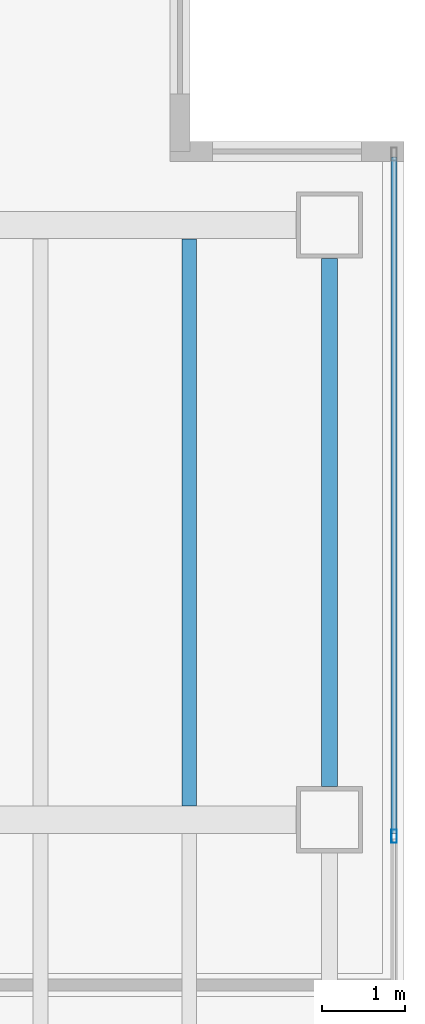
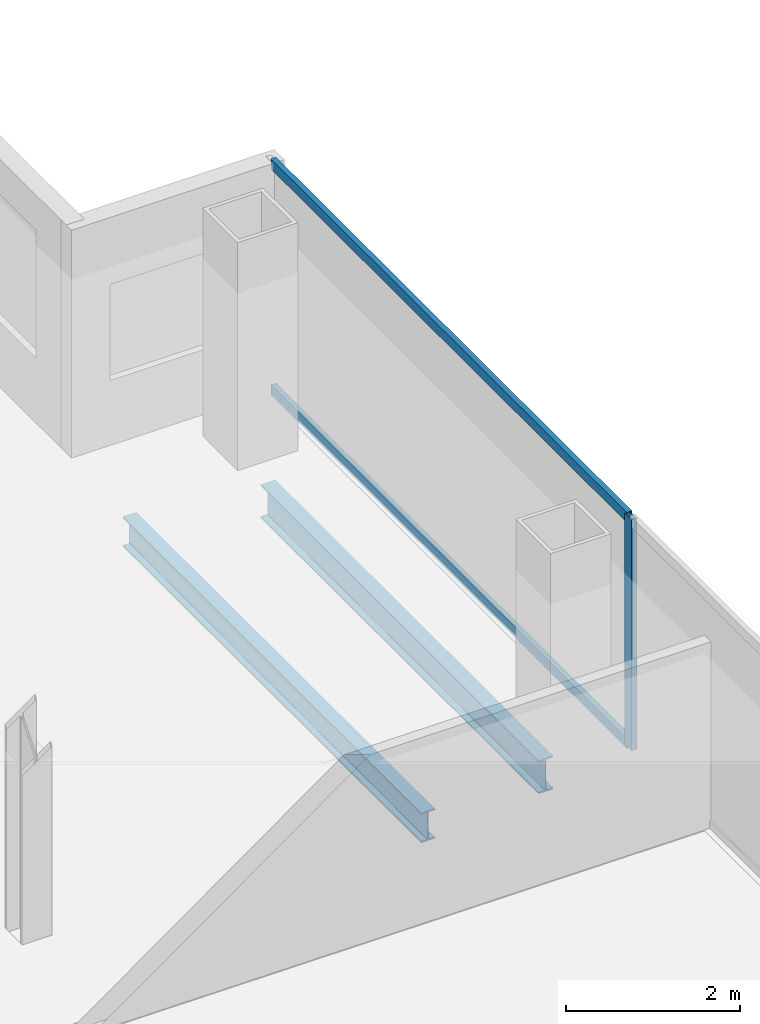
# One storey, part 14 of 23: 3 members, 2 beams, 1 element without a shape of its own.
"""IFC4 building model written with IfcOpenShell, lengths in metres."""

import ifcopenshell
import ifcopenshell.guid

model = None  # the IFC model being written
_history = None  # IfcOwnerHistory: only IFC2X3 demands one
_inside = {}  # id of a spatial element -> (the spatial element, [elements in it])
_under = {}  # id of a project, library or spatial element -> (it, [spatial elements below it])
_declared = {}  # id of a project -> (the project, [libraries it declares])
_typed = {}  # id of a type object -> (the type object, [elements of that type])
_made_of = {}  # id of a material, layer set ... -> (it, [elements and type objects made of it])


def new_model(schema):
    """Start an empty IFC model of exactly this schema.

    Asked for "IFC4X3", IfcOpenShell would pick the latest addendum, in which some entities
    have other attributes; the version numbers below select the first issue.
    IFC2X3 requires an IfcOwnerHistory on every rooted entity: one is made here for all.
    """
    global model, _history
    if schema == "IFC4X3":
        model = ifcopenshell.file(schema_version=(4, 3, 0, 0))
    else:
        model = ifcopenshell.file(schema=schema)
    _inside.clear()
    _under.clear()
    _declared.clear()
    _typed.clear()
    _made_of.clear()
    _history = None
    if model.schema == "IFC2X3":
        org = make("IfcOrganization", Name="unknown")
        user = make(
            "IfcPersonAndOrganization",
            ThePerson=make("IfcPerson", FamilyName="unknown"),
            TheOrganization=org,
        )
        app = make(
            "IfcApplication",
            ApplicationDeveloper=org,
            Version="unknown",
            ApplicationFullName="unknown",
            ApplicationIdentifier="unknown",
        )
        _history = make(
            "IfcOwnerHistory",
            OwningUser=user,
            OwningApplication=app,
            ChangeAction="ADDED",
            CreationDate=0,
        )
    return model


def make(cls, **values):
    """One entity of the class cls with the attributes given. An attribute that is None is left unset."""
    return model.create_entity(
        cls, **{name: value for name, value in values.items() if value is not None}
    )


def rooted(cls, **values):
    """An entity with a GlobalId (a new one), such as an element, a storey or a relation."""
    return make(cls, GlobalId=ifcopenshell.guid.new(), OwnerHistory=_history, **values)


def si_unit(unit_type, name, prefix=None):
    """IfcSIUnit, for example si_unit("LENGTHUNIT", "METRE", prefix="MILLI")."""
    return make("IfcSIUnit", UnitType=unit_type, Prefix=prefix, Name=name)


def assignment(units):
    """IfcUnitAssignment: the units of a project."""
    return None if units is None else make("IfcUnitAssignment", Units=units)


def point(xyz):
    """IfcCartesianPoint."""
    return None if xyz is None else make("IfcCartesianPoint", Coordinates=xyz)


def direction(xyz):
    """IfcDirection."""
    return None if xyz is None else make("IfcDirection", DirectionRatios=xyz)


def frame(location, z_axis=None, x_axis=None):
    """IfcAxis2Placement3D, a coordinate frame: its origin and axes. An axis left out is left unset."""
    return make(
        "IfcAxis2Placement3D",
        Location=point(location),
        Axis=direction(z_axis),
        RefDirection=direction(x_axis),
    )


def frame_2d(location, x_axis=None):
    """IfcAxis2Placement2D, a coordinate frame in the plane: its origin and x axis."""
    return make(
        "IfcAxis2Placement2D", Location=point(location), RefDirection=direction(x_axis)
    )


def origin():
    """The frame at (0, 0, 0) with its axes left unset."""
    return frame((0.0, 0.0, 0.0))


def origin_2d():
    """The frame at (0, 0) in the plane with its x axis left unset."""
    return frame_2d((0.0, 0.0))


def place(relative_to, where):
    """IfcLocalPlacement: puts the frame where relative to a parent placement (None: the world)."""
    return make(
        "IfcLocalPlacement", PlacementRelTo=relative_to, RelativePlacement=where
    )


def context(
    kind, dimensions, precision=None, world=None, true_north=None, identifier=None
):
    """IfcGeometricRepresentationContext, for example the 3D "Model" context."""
    return make(
        "IfcGeometricRepresentationContext",
        ContextIdentifier=identifier,
        ContextType=kind,
        CoordinateSpaceDimension=dimensions,
        Precision=precision,
        WorldCoordinateSystem=world,
        TrueNorth=true_north,
    )


def subcontext(parent, identifier, kind, view, scale=None):
    """IfcGeometricRepresentationSubContext, for example "Body" below "Model"."""
    return make(
        "IfcGeometricRepresentationSubContext",
        ContextIdentifier=identifier,
        ContextType=kind,
        ParentContext=parent,
        TargetScale=scale,
        TargetView=view,
    )


def project(units=None, contexts=None):
    """IfcProject with its units and contexts."""
    return rooted(
        "IfcProject",
        Name="project",
        RepresentationContexts=contexts,
        UnitsInContext=assignment(units),
    )


def spatial(cls, under=None, at=None, **own):
    """A site, building, storey or space (cls), placed at a placement, below another one or the project."""
    s = rooted(cls, ObjectPlacement=at, **own)
    if under is not None:
        _under.setdefault(under.id(), (under, []))[1].append(s)
    return s


def profile(cls, at=None, kind="AREA", **sizes):
    """A parametric profile (cls). Its sizes go by their IFC names, for example OverallWidth=200.0."""
    return make(cls, ProfileType=kind, Position=at, **sizes)


def hollow_rectangle(**sizes):
    """IfcRectangleHollowProfileDef."""
    return profile("IfcRectangleHollowProfileDef", **sizes)


def i_section(**sizes):
    """IfcIShapeProfileDef."""
    return profile("IfcIShapeProfileDef", **sizes)


def extrude(swept, where, along, depth):
    """IfcExtrudedAreaSolid: the profile swept, set in the frame where, extruded along a direction by depth."""
    return make(
        "IfcExtrudedAreaSolid",
        SweptArea=swept,
        Position=where,
        ExtrudedDirection=direction(along),
        Depth=depth,
    )


def shape(context_of_items, identifier, shape_type, items):
    """IfcShapeRepresentation: the items that make up one representation, for example the "Body"."""
    return make(
        "IfcShapeRepresentation",
        ContextOfItems=context_of_items,
        RepresentationIdentifier=identifier,
        RepresentationType=shape_type,
        Items=items,
    )


def material(Name=None, Category=None):
    """IfcMaterial."""
    return make("IfcMaterial", Name=Name, Category=Category)


def material_profile(
    of_material, cross_section, Name=None, Category=None, Priority=None
):
    """IfcMaterialProfile: a cross section and its material."""
    return make(
        "IfcMaterialProfile",
        Name=Name,
        Material=of_material,
        Profile=cross_section,
        Priority=Priority,
        Category=Category,
    )


def profile_set(profiles, Name=None, composite=None):
    """IfcMaterialProfileSet."""
    return make(
        "IfcMaterialProfileSet",
        Name=Name,
        MaterialProfiles=profiles,
        CompositeProfile=composite,
    )


def made_of(thing, what):
    """Note that an element or type object is made of a material, layer set ...; save() writes the relation."""
    if what is not None:
        _made_of.setdefault(what.id(), (what, []))[1].append(thing)
    return thing


def type_object(cls, material=None, **own):
    """A type object (cls), such as IfcWallType, which elements share."""
    return made_of(rooted(cls, **own), material)


def element(
    cls,
    number,
    at=None,
    inside=None,
    cuts=None,
    type_object=None,
    material=None,
    context=None,
    identifier="Body",
    shape_type=None,
    held_by="IfcProductDefinitionShape",
    body=None,
    shapes=None,
    **own,
):
    """One element of the class cls, such as IfcWall. Its Tag is "e" and its number.

    at: its placement. inside: the storey or other place that contains it. cuts: it is an
    opening in that element (IfcRelVoidsElement). A single representation is given by context,
    identifier, shape_type and body (its items); several are given by shapes. held_by: the class
    of the entity that holds the representations. save() writes the other relations.
    """
    e = rooted(cls, Tag="e%d" % number, ObjectPlacement=at, **own)
    if body is not None:
        shapes = [shape(context, identifier, shape_type, body)]
    if shapes is not None:
        e.Representation = make(held_by, Representations=shapes)
    if inside is not None:
        _inside.setdefault(inside.id(), (inside, []))[1].append(e)
    if cuts is not None:
        rooted(
            "IfcRelVoidsElement", RelatingBuildingElement=cuts, RelatedOpeningElement=e
        )
    if type_object is not None:
        _typed.setdefault(type_object.id(), (type_object, []))[1].append(e)
    return made_of(e, material)


def aggregate(whole, parts):
    """IfcRelAggregates: a whole, such as a stair, and the parts it consists of."""
    return rooted("IfcRelAggregates", RelatingObject=whole, RelatedObjects=parts)


def save(model, path):
    """Write the relations noted so far, then the file.

    IfcRelAggregates (storeys below a building ...), IfcRelContainedInSpatialStructure (elements
    in a storey), IfcRelDefinesByType, IfcRelAssociatesMaterial and IfcRelDeclares: one each for
    every whole, place, type object, material and project.
    """
    for whole, parts in _under.values():
        aggregate(whole, parts)
    for where, things in _inside.values():
        rooted(
            "IfcRelContainedInSpatialStructure",
            RelatedElements=things,
            RelatingStructure=where,
        )
    for kind, things in _typed.values():
        rooted("IfcRelDefinesByType", RelatedObjects=things, RelatingType=kind)
    for what, things in _made_of.values():
        rooted("IfcRelAssociatesMaterial", RelatedObjects=things, RelatingMaterial=what)
    for by, libraries in _declared.values():
        rooted("IfcRelDeclares", RelatingContext=by, RelatedDefinitions=libraries)
    model.write(path)


model = new_model("IFC4")

# Units and contexts
model_context = context("Model", 3, precision=1e-05, world=origin(), true_north=direction((0.0, 1.0)))
body_context = subcontext(model_context, "Body", "Model", "MODEL_VIEW")
ifc_project = project(units=[si_unit("LENGTHUNIT", "METRE"), si_unit("AREAUNIT", "SQUARE_METRE"), si_unit("VOLUMEUNIT", "CUBIC_METRE"), si_unit("PLANEANGLEUNIT", "RADIAN"), si_unit("MASSUNIT", "GRAM", prefix="KILO")], contexts=[model_context])

# Site, building, storey
site_placement = place(None, origin())
site = spatial("IfcSite", under=ifc_project, at=site_placement, CompositionType="ELEMENT")
building_placement = place(site_placement, origin())
building = spatial("IfcBuilding", under=site, at=building_placement, Name="Cobrela Telecom Tower", CompositionType="ELEMENT")
storey_placement = place(building_placement, frame((0.0, 0.0, 197.75)))
storey = spatial("IfcBuildingStorey", under=building, at=storey_placement, Name="L50", CompositionType="ELEMENT", Elevation=197.75)

# Beams
ifc_material_1 = material(Name="Steel ASTM A992 Grade 50", Category="steel")
ifc_material_profile_1 = material_profile(ifc_material_1, i_section(OverallWidth=0.179931640625, OverallDepth=0.4169921875, WebThickness=0.010986328125, FlangeThickness=0.01806640625, FilletRadius=0.011962890625, at=origin_2d()), Name="W16X57")
ifc_profile_set_1 = profile_set([ifc_material_profile_1], Name="Steel ASTM A992 Grade 50")
beam_type_1 = type_object("IfcBeamType", Name="BM-JOIST-04", PredefinedType="JOIST", material=ifc_profile_set_1)
beam_1_placement = place(storey_placement, frame((41.39990234375, 14.569091796875, -0.468505859375), z_axis=(0.0, 1.0, 0.0), x_axis=(-1.0, 0.0, 0.0)))
element("IfcBeam", 1, at=beam_1_placement, inside=storey, type_object=beam_type_1, Name="L50 Secondary Composite Floor Beam J30", PredefinedType="JOIST", context=body_context, shape_type="SweptSolid", body=[
    extrude(i_section(OverallWidth=0.179931640625, OverallDepth=0.4169921875, WebThickness=0.010986328125, FlangeThickness=0.01806640625, FilletRadius=0.011962890625, at=origin_2d()), origin(), (0.0, 0.0, 1.0), 6.86181640625),
])
ifc_material_profile_2 = material_profile(ifc_material_1, i_section(OverallWidth=0.193115234375, OverallDepth=0.467041015625, WebThickness=0.011474609375, FlangeThickness=0.01904296875, FilletRadius=0.012939453125, at=origin_2d()), Name="W18X65")
ifc_profile_set_2 = profile_set([ifc_material_profile_2], Name="Steel ASTM A992 Grade 50")
beam_type_2 = type_object("IfcBeamType", Name="BM-SPAND-05", PredefinedType="SPANDREL", material=ifc_profile_set_2)
beam_2_placement = place(storey_placement, frame((43.10009765625, 14.804931640625, -0.493408203125), z_axis=(0.0, 1.0, 0.0), x_axis=(-1.0, 0.0, 0.0)))
element("IfcBeam", 2, at=beam_2_placement, inside=storey, type_object=beam_type_2, Name="L50 Perimeter Spandrel Y43", PredefinedType="SPANDREL", context=body_context, shape_type="SweptSolid", body=[
    extrude(i_section(OverallWidth=0.193115234375, OverallDepth=0.467041015625, WebThickness=0.011474609375, FlangeThickness=0.01904296875, FilletRadius=0.012939453125, at=origin_2d()), origin(), (0.0, 0.0, 1.0), 6.39013671875),
])

# Curtain wall, members
ifc_material_2 = material(Name="Anodized Bronze Aluminium 6063-T6", Category="aluminium")
curtain_wall_type = type_object("IfcCurtainWallType", Name="CW-SYS-OFF-LO", PredefinedType="USERDEFINED", material=ifc_material_2)
curtain_wall_placement = place(storey_placement, origin())
curtain_wall = element("IfcCurtainWall", 3, at=curtain_wall_placement, inside=storey, type_object=curtain_wall_type, Name="L50 Unitised Bronze Curtain Wall 14", ObjectType="UNITISED CURTAIN WALL", PredefinedType="USERDEFINED")
ifc_material_profile_3 = material_profile(ifc_material_2, hollow_rectangle(XDim=0.070068359375, YDim=0.159912109375, WallThickness=0.00390625, at=origin_2d()), Name="ALU 70x160x4")
ifc_profile_set_3 = profile_set([ifc_material_profile_3], Name="Anodized Bronze Aluminium 6063-T6")
member_type_1 = type_object("IfcMemberType", Name="CW-SYS-OFF-LO-MUL", PredefinedType="MULLION", material=ifc_profile_set_3)
member_1_placement = place(storey_placement, frame((43.8798828125, 14.199951171875, 0.0), z_axis=(0.0, 0.0, 1.0), x_axis=(1.0, 0.0, 0.0)))
member_1 = element("IfcMember", 4, at=member_1_placement, type_object=member_type_1, Name="CW-OFF-LO mullion 2", PredefinedType="MULLION", context=body_context, shape_type="SweptSolid", body=[
    extrude(hollow_rectangle(XDim=0.070068359375, YDim=0.159912109375, WallThickness=0.00390625, at=origin_2d()), origin(), (0.0, 0.0, 1.0), 3.239990234375),
])
ifc_material_profile_4 = material_profile(ifc_material_2, hollow_rectangle(XDim=0.070068359375, YDim=0.139892578125, WallThickness=0.00390625, at=origin_2d()), Name="ALU 70x140x4")
ifc_profile_set_4 = profile_set([ifc_material_profile_4], Name="Anodized Bronze Aluminium 6063-T6")
member_type_2 = type_object("IfcMemberType", Name="CW-SYS-OFF-LO-TRN", PredefinedType="USERDEFINED", material=ifc_profile_set_4)
member_2_placement = place(storey_placement, frame((43.8798828125, 22.419921875, 0.034912109375), z_axis=(0.0, -1.0, 0.0), x_axis=(1.0, 0.0, 0.0)))
member_2 = element("IfcMember", 5, at=member_2_placement, type_object=member_type_2, Name="CW-OFF-LO transom 1.1", ObjectType="TRANSOM", PredefinedType="USERDEFINED", context=body_context, shape_type="SweptSolid", body=[
    extrude(hollow_rectangle(XDim=0.070068359375, YDim=0.139892578125, WallThickness=0.00390625, at=origin_2d()), origin(), (0.0, 0.0, 1.0), 8.184814453125),
])
member_3_placement = place(storey_placement, frame((43.8798828125, 22.419921875, 3.205078125), z_axis=(0.0, -1.0, 0.0), x_axis=(1.0, 0.0, 0.0)))
member_3 = element("IfcMember", 6, at=member_3_placement, type_object=member_type_2, Name="CW-OFF-LO transom 1.2", ObjectType="TRANSOM", PredefinedType="USERDEFINED", context=body_context, shape_type="SweptSolid", body=[
    extrude(hollow_rectangle(XDim=0.070068359375, YDim=0.139892578125, WallThickness=0.00390625, at=origin_2d()), origin(), (0.0, 0.0, 1.0), 8.184814453125),
])
aggregate(curtain_wall, [member_1, member_2, member_3])

save(model, "model.ifc")
